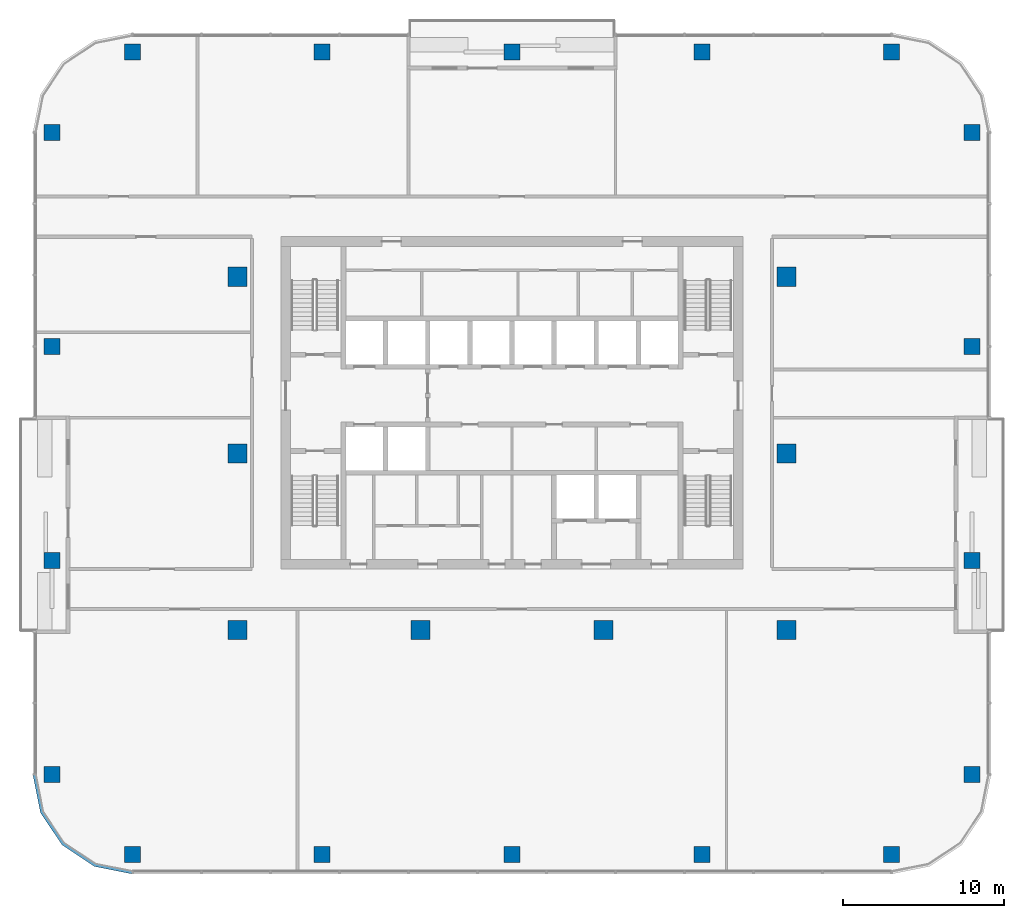
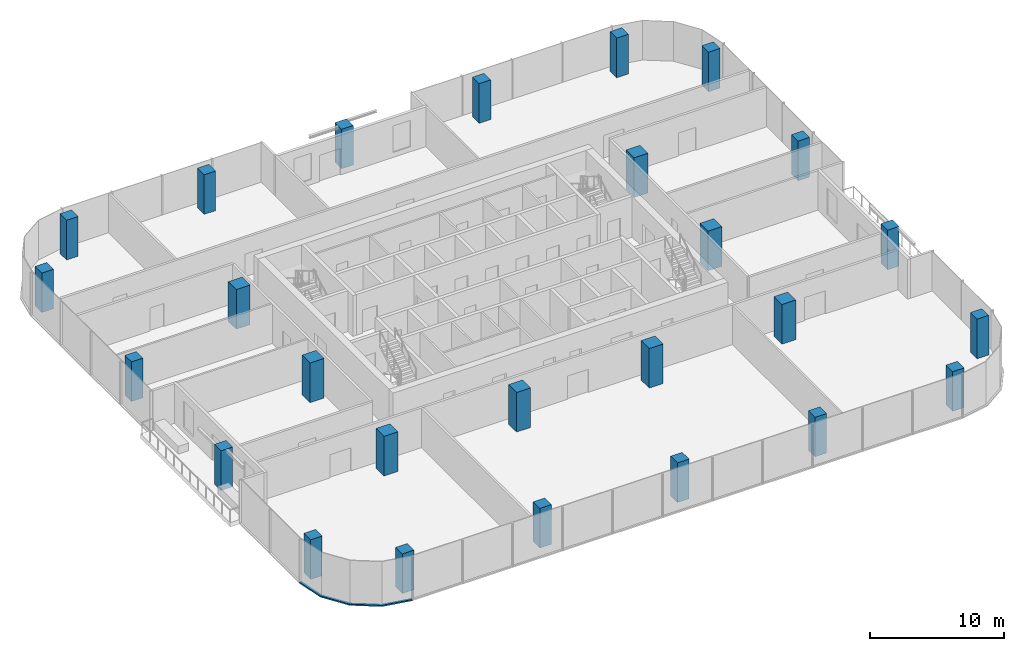
# One storey, part 1 of 13: 26 columns, 1 member, 1 element without a shape of its own.
"""IFC4 building model written with IfcOpenShell, lengths in metres."""

from ifc_helpers import new_model, si_unit, direction, frame, origin, origin_2d, place, context, subcontext, project, spatial, polyline, rectangle, outline, extrude, material, material_profile, profile_set, type_object, element, aggregate, save


model = new_model("IFC4")

# Units and contexts
model_context = context("Model", 3, precision=1e-05, world=origin(), true_north=direction((0.0, 1.0)))
body_context = subcontext(model_context, "Body", "Model", "MODEL_VIEW")
ifc_project = project(units=[si_unit("LENGTHUNIT", "METRE"), si_unit("AREAUNIT", "SQUARE_METRE"), si_unit("VOLUMEUNIT", "CUBIC_METRE"), si_unit("PLANEANGLEUNIT", "RADIAN"), si_unit("MASSUNIT", "GRAM", prefix="KILO")], contexts=[model_context])

# Site, building, storey
site_placement = place(None, origin())
site = spatial("IfcSite", under=ifc_project, at=site_placement, CompositionType="ELEMENT")
building_placement = place(site_placement, origin())
building = spatial("IfcBuilding", under=site, at=building_placement, Name="Mopane Tessera Tower", CompositionType="ELEMENT")
storey_placement = place(building_placement, frame((0.0, 0.0, 271.39990234375)))
storey = spatial("IfcBuildingStorey", under=building, at=storey_placement, Name="L58", CompositionType="ELEMENT", Elevation=271.39990234375)

# Columns
ifc_material_1 = material(Name="Concrete C40/50", Category="concrete")
ifc_material_profile_1 = material_profile(ifc_material_1, rectangle(XDim=1.199951171875, YDim=1.199951171875, at=origin_2d()))
ifc_profile_set_1 = profile_set([ifc_material_profile_1], Name="Concrete C40/50")
column_type_1 = type_object("IfcColumnType", Name="Interior column 1200 x 1200 C40/50", PredefinedType="COLUMN", material=ifc_profile_set_1)
for number, where, z_axis, x_axis, name in (
    (1, (-17.10009765625, -11.0, 0.0), (0.0, 0.0, 1.0), (1.0, 0.0, 0.0), "Interior column I1A L58"),
    (2, (-17.10009765625, 0.0, 0.0), (0.0, 0.0, 1.0), (1.0, 0.0, 0.0), "Interior column I1B L58"),
    (3, (-17.10009765625, 11.0, 0.0), (0.0, 0.0, 1.0), (1.0, 0.0, 0.0), "Interior column I1C L58"),
    (4, (-5.699951171875, -11.0, 0.0), (0.0, 0.0, 1.0), (1.0, 0.0, 0.0), "Interior column I2A L58"),
    (5, (5.699951171875, -11.0, 0.0), (0.0, 0.0, 1.0), (1.0, 0.0, 0.0), "Interior column I3A L58"),
    (6, (17.10009765625, -11.0, 0.0), (0.0, 0.0, 1.0), (1.0, 0.0, 0.0), "Interior column I4A L58"),
    (7, (17.10009765625, 0.0, 0.0), (0.0, 0.0, 1.0), (1.0, 0.0, 0.0), "Interior column I4B L58"),
    (8, (17.10009765625, 11.0, 0.0), (0.0, 0.0, 1.0), (1.0, 0.0, 0.0), "Interior column I4C L58"),
):
    element("IfcColumn", number, at=place(storey_placement, frame(where, z_axis=z_axis, x_axis=x_axis)), inside=storey, type_object=column_type_1, Name=name, PredefinedType="COLUMN", context=body_context, shape_type="SweptSolid", body=[
        extrude(rectangle(XDim=1.199951171875, YDim=1.199951171875, at=origin_2d()), origin(), (0.0, 0.0, 1.0), 3.60009765625),
    ])
ifc_material_2 = material(Name="Concrete C40/50", Category="concrete")
ifc_material_profile_2 = material_profile(ifc_material_2, rectangle(XDim=1.0, YDim=1.0, at=origin_2d()))
ifc_profile_set_2 = profile_set([ifc_material_profile_2], Name="Concrete C40/50")
column_type_2 = type_object("IfcColumnType", Name="Ring column 1000 x 1000 C40/50", PredefinedType="COLUMN", material=ifc_profile_set_2)
for number, where, z_axis, x_axis, name in (
    (9, (-23.64990234375, -25.0, 0.0), (0.0, 0.0, 1.0), (1.0, 0.0, 0.0), "Ring column S0 L58"),
    (10, (-11.824951171875, -25.0, 0.0), (0.0, 0.0, 1.0), (1.0, 0.0, 0.0), "Ring column S1 L58"),
    (11, (0.0, -25.0, 0.0), (0.0, 0.0, 1.0), (1.0, 0.0, 0.0), "Ring column S2 L58"),
    (12, (11.824951171875, -25.0, 0.0), (0.0, 0.0, 1.0), (1.0, 0.0, 0.0), "Ring column S3 L58"),
    (13, (23.64990234375, -25.0, 0.0), (0.0, 0.0, 1.0), (1.0, 0.0, 0.0), "Ring column S4 L58"),
    (14, (28.64990234375, -20.0, 0.0), (0.0, 0.0, 1.0), (1.0, 0.0, 0.0), "Ring column E0 L58"),
    (15, (28.64990234375, -6.666748046875, 0.0), (0.0, 0.0, 1.0), (1.0, 0.0, 0.0), "Ring column E1 L58"),
    (16, (28.64990234375, 6.666748046875, 0.0), (0.0, 0.0, 1.0), (1.0, 0.0, 0.0), "Ring column E2 L58"),
    (17, (28.64990234375, 20.0, 0.0), (0.0, 0.0, 1.0), (1.0, 0.0, 0.0), "Ring column E3 L58"),
    (18, (23.64990234375, 25.0, 0.0), (0.0, 0.0, 1.0), (1.0, 0.0, 0.0), "Ring column N0 L58"),
    (19, (11.824951171875, 25.0, 0.0), (0.0, 0.0, 1.0), (1.0, 0.0, 0.0), "Ring column N1 L58"),
    (20, (0.0, 25.0, 0.0), (0.0, 0.0, 1.0), (1.0, 0.0, 0.0), "Ring column N2 L58"),
    (21, (-11.824951171875, 25.0, 0.0), (0.0, 0.0, 1.0), (1.0, 0.0, 0.0), "Ring column N3 L58"),
    (22, (-23.64990234375, 25.0, 0.0), (0.0, 0.0, 1.0), (1.0, 0.0, 0.0), "Ring column N4 L58"),
    (23, (-28.64990234375, 20.0, 0.0), (0.0, 0.0, 1.0), (1.0, 0.0, 0.0), "Ring column W0 L58"),
    (24, (-28.64990234375, 6.666748046875, 0.0), (0.0, 0.0, 1.0), (1.0, 0.0, 0.0), "Ring column W1 L58"),
    (25, (-28.64990234375, -6.666748046875, 0.0), (0.0, 0.0, 1.0), (1.0, 0.0, 0.0), "Ring column W2 L58"),
    (26, (-28.64990234375, -20.0, 0.0), (0.0, 0.0, 1.0), (1.0, 0.0, 0.0), "Ring column W3 L58"),
):
    element("IfcColumn", number, at=place(storey_placement, frame(where, z_axis=z_axis, x_axis=x_axis)), inside=storey, type_object=column_type_2, Name=name, PredefinedType="COLUMN", context=body_context, shape_type="SweptSolid", body=[
        extrude(rectangle(XDim=1.0, YDim=1.0, at=origin_2d()), origin(), (0.0, 0.0, 1.0), 3.60009765625),
    ])

# Curtain wall, member
ifc_material_3 = material(Name="Aluminium frame", Category="aluminium")
curtain_wall_type = type_object("IfcCurtainWallType", Name="Unitised curtain wall", PredefinedType="NOTDEFINED", material=ifc_material_3)
curtain_wall_placement = place(storey_placement, origin())
curtain_wall = element("IfcCurtainWall", 27, at=curtain_wall_placement, inside=storey, type_object=curtain_wall_type, Name="e:cw:L58:CW", PredefinedType="NOTDEFINED")
ifc_material_4 = material(Name="Aluminium frame", Category="aluminium")
ifc_material_profile_3 = material_profile(ifc_material_4, rectangle(XDim=0.199951171875, YDim=0.1201171875, at=origin_2d()))
ifc_profile_set_3 = profile_set([ifc_material_profile_3], Name="Aluminium frame")
member_type = type_object("IfcMemberType", Name="Aluminium transom 200 x 120", PredefinedType="USERDEFINED", material=ifc_profile_set_3)
member_placement = place(storey_placement, frame((0.0, 0.0, -0.39990234375)))
member = element("IfcMember", 28, at=member_placement, type_object=member_type, Name="e:cw:L58:CW:tr", ObjectType="TRANSOM", PredefinedType="USERDEFINED", context=body_context, shape_type="SweptSolid", body=[
    extrude(outline(polyline([(-29.64990234375, -20.0), (-29.193359375, -22.296142578125), (-27.892578125, -24.24267578125), (-25.946044921875, -25.543212890625), (-23.64990234375, -26.0), (-23.64990234375, -26.199951171875), (-26.022705078125, -25.72802734375), (-28.0341796875, -24.384033203125), (-29.378173828125, -22.37255859375), (-29.85009765625, -20.0), (-29.64990234375, -20.0)])), origin(), (0.0, 0.0, 1.0), 0.1201171875),
])
aggregate(curtain_wall, [member])

save(model, "model.ifc")
